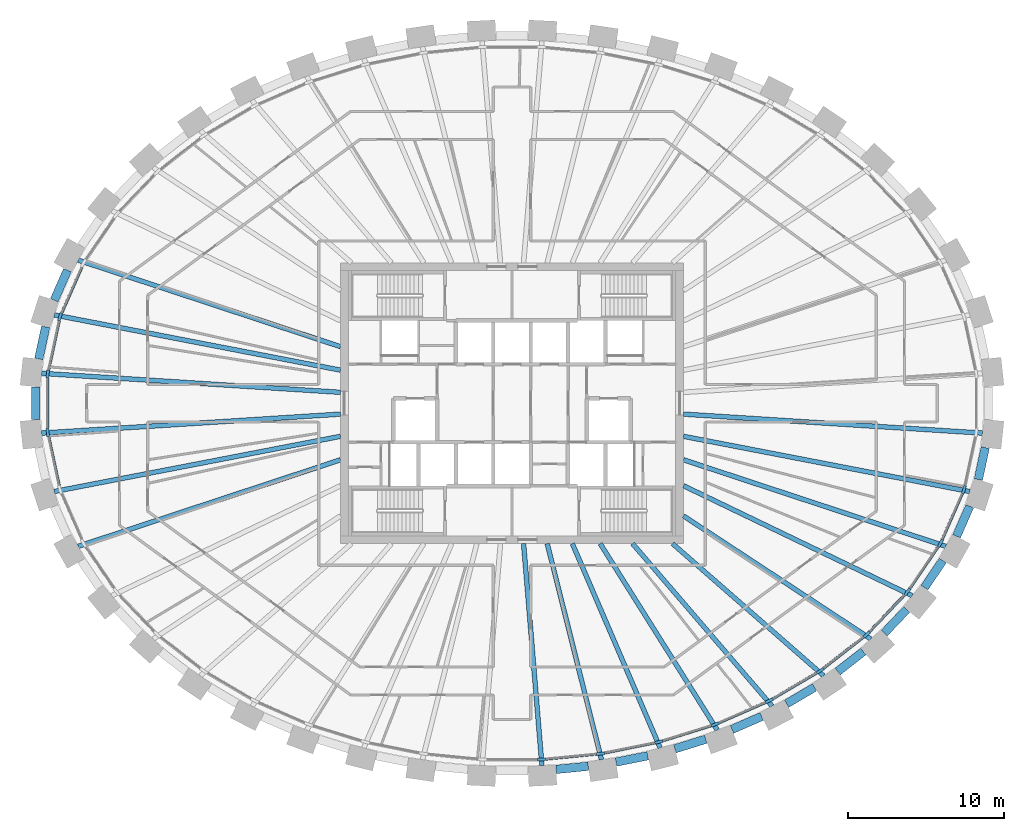
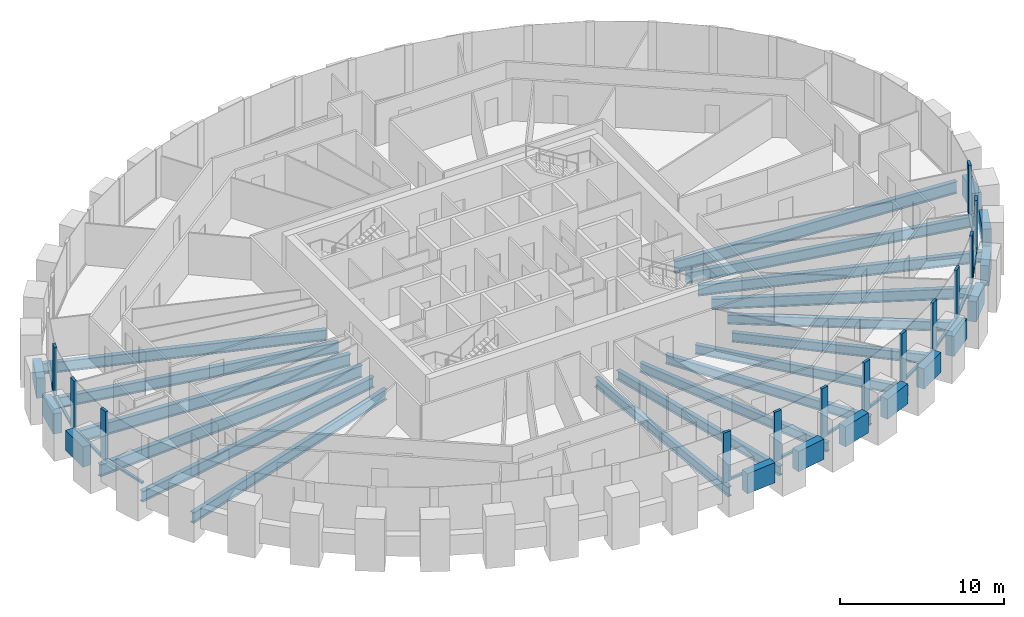
# One storey, part 2 of 12: 30 beams, 26 members, 1 element without a shape of its own.
"""IFC4 building model written with IfcOpenShell, lengths in metres."""

import ifcopenshell
import ifcopenshell.guid

model = None  # the IFC model being written
_history = None  # IfcOwnerHistory: only IFC2X3 demands one
_inside = {}  # id of a spatial element -> (the spatial element, [elements in it])
_under = {}  # id of a project, library or spatial element -> (it, [spatial elements below it])
_declared = {}  # id of a project -> (the project, [libraries it declares])
_typed = {}  # id of a type object -> (the type object, [elements of that type])
_made_of = {}  # id of a material, layer set ... -> (it, [elements and type objects made of it])


def new_model(schema):
    """Start an empty IFC model of exactly this schema.

    Asked for "IFC4X3", IfcOpenShell would pick the latest addendum, in which some entities
    have other attributes; the version numbers below select the first issue.
    IFC2X3 requires an IfcOwnerHistory on every rooted entity: one is made here for all.
    """
    global model, _history
    if schema == "IFC4X3":
        model = ifcopenshell.file(schema_version=(4, 3, 0, 0))
    else:
        model = ifcopenshell.file(schema=schema)
    _inside.clear()
    _under.clear()
    _declared.clear()
    _typed.clear()
    _made_of.clear()
    _history = None
    if model.schema == "IFC2X3":
        org = make("IfcOrganization", Name="unknown")
        user = make(
            "IfcPersonAndOrganization",
            ThePerson=make("IfcPerson", FamilyName="unknown"),
            TheOrganization=org,
        )
        app = make(
            "IfcApplication",
            ApplicationDeveloper=org,
            Version="unknown",
            ApplicationFullName="unknown",
            ApplicationIdentifier="unknown",
        )
        _history = make(
            "IfcOwnerHistory",
            OwningUser=user,
            OwningApplication=app,
            ChangeAction="ADDED",
            CreationDate=0,
        )
    return model


def make(cls, **values):
    """One entity of the class cls with the attributes given. An attribute that is None is left unset."""
    return model.create_entity(
        cls, **{name: value for name, value in values.items() if value is not None}
    )


def rooted(cls, **values):
    """An entity with a GlobalId (a new one), such as an element, a storey or a relation."""
    return make(cls, GlobalId=ifcopenshell.guid.new(), OwnerHistory=_history, **values)


def si_unit(unit_type, name, prefix=None):
    """IfcSIUnit, for example si_unit("LENGTHUNIT", "METRE", prefix="MILLI")."""
    return make("IfcSIUnit", UnitType=unit_type, Prefix=prefix, Name=name)


def assignment(units):
    """IfcUnitAssignment: the units of a project."""
    return None if units is None else make("IfcUnitAssignment", Units=units)


def point(xyz):
    """IfcCartesianPoint."""
    return None if xyz is None else make("IfcCartesianPoint", Coordinates=xyz)


def direction(xyz):
    """IfcDirection."""
    return None if xyz is None else make("IfcDirection", DirectionRatios=xyz)


def frame(location, z_axis=None, x_axis=None):
    """IfcAxis2Placement3D, a coordinate frame: its origin and axes. An axis left out is left unset."""
    return make(
        "IfcAxis2Placement3D",
        Location=point(location),
        Axis=direction(z_axis),
        RefDirection=direction(x_axis),
    )


def frame_2d(location, x_axis=None):
    """IfcAxis2Placement2D, a coordinate frame in the plane: its origin and x axis."""
    return make(
        "IfcAxis2Placement2D", Location=point(location), RefDirection=direction(x_axis)
    )


def origin():
    """The frame at (0, 0, 0) with its axes left unset."""
    return frame((0.0, 0.0, 0.0))


def origin_2d():
    """The frame at (0, 0) in the plane with its x axis left unset."""
    return frame_2d((0.0, 0.0))


def place(relative_to, where):
    """IfcLocalPlacement: puts the frame where relative to a parent placement (None: the world)."""
    return make(
        "IfcLocalPlacement", PlacementRelTo=relative_to, RelativePlacement=where
    )


def context(
    kind, dimensions, precision=None, world=None, true_north=None, identifier=None
):
    """IfcGeometricRepresentationContext, for example the 3D "Model" context."""
    return make(
        "IfcGeometricRepresentationContext",
        ContextIdentifier=identifier,
        ContextType=kind,
        CoordinateSpaceDimension=dimensions,
        Precision=precision,
        WorldCoordinateSystem=world,
        TrueNorth=true_north,
    )


def subcontext(parent, identifier, kind, view, scale=None):
    """IfcGeometricRepresentationSubContext, for example "Body" below "Model"."""
    return make(
        "IfcGeometricRepresentationSubContext",
        ContextIdentifier=identifier,
        ContextType=kind,
        ParentContext=parent,
        TargetScale=scale,
        TargetView=view,
    )


def project(units=None, contexts=None):
    """IfcProject with its units and contexts."""
    return rooted(
        "IfcProject",
        Name="project",
        RepresentationContexts=contexts,
        UnitsInContext=assignment(units),
    )


def spatial(cls, under=None, at=None, **own):
    """A site, building, storey or space (cls), placed at a placement, below another one or the project."""
    s = rooted(cls, ObjectPlacement=at, **own)
    if under is not None:
        _under.setdefault(under.id(), (under, []))[1].append(s)
    return s


def profile(cls, at=None, kind="AREA", **sizes):
    """A parametric profile (cls). Its sizes go by their IFC names, for example OverallWidth=200.0."""
    return make(cls, ProfileType=kind, Position=at, **sizes)


def rectangle(**sizes):
    """IfcRectangleProfileDef."""
    return profile("IfcRectangleProfileDef", **sizes)


def i_section(**sizes):
    """IfcIShapeProfileDef."""
    return profile("IfcIShapeProfileDef", **sizes)


def extrude(swept, where, along, depth):
    """IfcExtrudedAreaSolid: the profile swept, set in the frame where, extruded along a direction by depth."""
    return make(
        "IfcExtrudedAreaSolid",
        SweptArea=swept,
        Position=where,
        ExtrudedDirection=direction(along),
        Depth=depth,
    )


def shape(context_of_items, identifier, shape_type, items):
    """IfcShapeRepresentation: the items that make up one representation, for example the "Body"."""
    return make(
        "IfcShapeRepresentation",
        ContextOfItems=context_of_items,
        RepresentationIdentifier=identifier,
        RepresentationType=shape_type,
        Items=items,
    )


def source(mapping_origin, context_of_items, identifier, shape_type, items):
    """IfcRepresentationMap: a shape defined once, which mapped items show again and again."""
    return make(
        "IfcRepresentationMap",
        MappingOrigin=mapping_origin,
        MappedRepresentation=shape(context_of_items, identifier, shape_type, items),
    )


def transform(
    local_origin,
    x_axis=None,
    y_axis=None,
    z_axis=None,
    scale=None,
    scale2=None,
    scale3=None,
    uniform=True,
):
    """IfcCartesianTransformationOperator3D, or its non-uniform kind. x_axis, y_axis, z_axis: its Axis1, 2, 3."""
    if uniform:
        return make(
            "IfcCartesianTransformationOperator3D",
            Axis1=direction(x_axis),
            Axis2=direction(y_axis),
            LocalOrigin=point(local_origin),
            Scale=scale,
            Axis3=direction(z_axis),
        )
    return make(
        "IfcCartesianTransformationOperator3DnonUniform",
        Axis1=direction(x_axis),
        Axis2=direction(y_axis),
        LocalOrigin=point(local_origin),
        Scale=scale,
        Axis3=direction(z_axis),
        Scale2=scale2,
        Scale3=scale3,
    )


def mapped(mapping_source, mapping_target):
    """IfcMappedItem: shows the shape of a source again, moved by a transform."""
    return make(
        "IfcMappedItem", MappingSource=mapping_source, MappingTarget=mapping_target
    )


def material(Name=None, Category=None):
    """IfcMaterial."""
    return make("IfcMaterial", Name=Name, Category=Category)


def material_profile(
    of_material, cross_section, Name=None, Category=None, Priority=None
):
    """IfcMaterialProfile: a cross section and its material."""
    return make(
        "IfcMaterialProfile",
        Name=Name,
        Material=of_material,
        Profile=cross_section,
        Priority=Priority,
        Category=Category,
    )


def profile_set(profiles, Name=None, composite=None):
    """IfcMaterialProfileSet."""
    return make(
        "IfcMaterialProfileSet",
        Name=Name,
        MaterialProfiles=profiles,
        CompositeProfile=composite,
    )


def made_of(thing, what):
    """Note that an element or type object is made of a material, layer set ...; save() writes the relation."""
    if what is not None:
        _made_of.setdefault(what.id(), (what, []))[1].append(thing)
    return thing


def type_object(cls, material=None, **own):
    """A type object (cls), such as IfcWallType, which elements share."""
    return made_of(rooted(cls, **own), material)


def element(
    cls,
    number,
    at=None,
    inside=None,
    cuts=None,
    type_object=None,
    material=None,
    context=None,
    identifier="Body",
    shape_type=None,
    held_by="IfcProductDefinitionShape",
    body=None,
    shapes=None,
    **own,
):
    """One element of the class cls, such as IfcWall. Its Tag is "e" and its number.

    at: its placement. inside: the storey or other place that contains it. cuts: it is an
    opening in that element (IfcRelVoidsElement). A single representation is given by context,
    identifier, shape_type and body (its items); several are given by shapes. held_by: the class
    of the entity that holds the representations. save() writes the other relations.
    """
    e = rooted(cls, Tag="e%d" % number, ObjectPlacement=at, **own)
    if body is not None:
        shapes = [shape(context, identifier, shape_type, body)]
    if shapes is not None:
        e.Representation = make(held_by, Representations=shapes)
    if inside is not None:
        _inside.setdefault(inside.id(), (inside, []))[1].append(e)
    if cuts is not None:
        rooted(
            "IfcRelVoidsElement", RelatingBuildingElement=cuts, RelatedOpeningElement=e
        )
    if type_object is not None:
        _typed.setdefault(type_object.id(), (type_object, []))[1].append(e)
    return made_of(e, material)


def aggregate(whole, parts):
    """IfcRelAggregates: a whole, such as a stair, and the parts it consists of."""
    return rooted("IfcRelAggregates", RelatingObject=whole, RelatedObjects=parts)


def save(model, path):
    """Write the relations noted so far, then the file.

    IfcRelAggregates (storeys below a building ...), IfcRelContainedInSpatialStructure (elements
    in a storey), IfcRelDefinesByType, IfcRelAssociatesMaterial and IfcRelDeclares: one each for
    every whole, place, type object, material and project.
    """
    for whole, parts in _under.values():
        aggregate(whole, parts)
    for where, things in _inside.values():
        rooted(
            "IfcRelContainedInSpatialStructure",
            RelatedElements=things,
            RelatingStructure=where,
        )
    for kind, things in _typed.values():
        rooted("IfcRelDefinesByType", RelatedObjects=things, RelatingType=kind)
    for what, things in _made_of.values():
        rooted("IfcRelAssociatesMaterial", RelatedObjects=things, RelatingMaterial=what)
    for by, libraries in _declared.values():
        rooted("IfcRelDeclares", RelatingContext=by, RelatedDefinitions=libraries)
    model.write(path)


model = new_model("IFC4")

# Units and contexts
model_context = context("Model", 3, precision=1e-05, world=origin(), true_north=direction((0.0, 1.0)))
body_context = subcontext(model_context, "Body", "Model", "MODEL_VIEW")
ifc_project = project(units=[si_unit("LENGTHUNIT", "METRE"), si_unit("AREAUNIT", "SQUARE_METRE"), si_unit("VOLUMEUNIT", "CUBIC_METRE"), si_unit("PLANEANGLEUNIT", "RADIAN"), si_unit("MASSUNIT", "GRAM", prefix="KILO")], contexts=[model_context])

# Site, building, storey
site_placement = place(None, origin())
site = spatial("IfcSite", under=ifc_project, at=site_placement, CompositionType="ELEMENT")
building_placement = place(site_placement, origin())
building = spatial("IfcBuilding", under=site, at=building_placement, Name="Embergate Tower", CompositionType="ELEMENT")
storey_placement = place(building_placement, frame((0.0, 0.0, 293.5)))
storey = spatial("IfcBuildingStorey", under=building, at=storey_placement, Name="L68", CompositionType="ELEMENT", Elevation=293.5)

# Beams
ifc_material_1 = material(Name="Steel Q355B", Category="steel")
ifc_material_profile_1 = material_profile(ifc_material_1, i_section(OverallWidth=0.300048828125, OverallDepth=0.699951171875, WebThickness=0.012939453125, FlangeThickness=0.02392578125, FilletRadius=0.01806640625, at=origin_2d()), Name="HN 700x300x13x24")
ifc_profile_set_1 = profile_set([ifc_material_profile_1], Name="Steel Q355 grade B")
beam_type_1 = type_object("IfcBeamType", Name="Radial girder HN 700x300x13x24", PredefinedType="BEAM", material=ifc_profile_set_1)
shared_shape_1 = source(origin(), body_context, "Body", "SweptSolid", [
    extrude(i_section(OverallWidth=0.300048828125, OverallDepth=0.699951171875, WebThickness=0.012939453125, FlangeThickness=0.02392578125, FilletRadius=0.01806640625, at=origin_2d()), origin(), (0.0, 0.0, 1.0), 13.742431640625),
])
beam_1_placement = place(storey_placement, frame((16.681884765625, -19.426025390625, -0.550048828125), z_axis=(-0.651474345674, 0.758670664339, 0.0), x_axis=(-0.758670664339, -0.651474345674, 0.0)))
element("IfcBeam", 1, at=beam_1_placement, inside=storey, type_object=beam_type_1, Name="GIR-L68-37", PredefinedType="BEAM", context=body_context, shape_type="MappedRepresentation", body=[
    mapped(shared_shape_1, transform((0.0, 0.0, 0.0))),
])
ifc_material_2 = material(Name="Concrete C50", Category="concrete")
ifc_material_profile_2 = material_profile(ifc_material_2, rectangle(XDim=0.550048828125, YDim=1.5, at=origin_2d()), Name="RC 550x1500")
ifc_profile_set_2 = profile_set([ifc_material_profile_2], Name="Concrete C50")
beam_type_2 = type_object("IfcBeamType", Name="Spandrel beam RC 550x1500 C50", PredefinedType="BEAM", material=ifc_profile_set_2)
shared_shape_2 = source(origin(), body_context, "Body", "SweptSolid", [
    extrude(rectangle(XDim=0.550048828125, YDim=1.5, at=origin_2d()), origin(), (0.0, 0.0, 1.0), 2.10107421875),
])
for number, where, z_axis, x_axis, name in (
    (2, (-29.905029296875, 4.89501953125, 0.0), (-0.210330547493, -0.977630329312, 0.0), (0.977630329312, -0.210330547493, 0.0), "SPN-L68-20"),
    (3, (29.905029296875, -4.89501953125, 0.0), (0.210330547493, 0.977630329312, 0.0), (-0.977630329312, 0.210330547493, 0.0), "SPN-L68-42"),
):
    element("IfcBeam", number, at=place(storey_placement, frame(where, z_axis=z_axis, x_axis=x_axis)), inside=storey, type_object=beam_type_2, Name=name, PredefinedType="BEAM", context=body_context, shape_type="MappedRepresentation", body=[
        mapped(shared_shape_2, transform((0.0, 0.0, 0.0))),
    ])
shared_shape_3 = source(origin(), body_context, "Body", "SweptSolid", [
    extrude(rectangle(XDim=0.550048828125, YDim=1.5, at=origin_2d()), origin(), (0.0, 0.0, 1.0), 2.097900390625),
])
for number, where, z_axis, x_axis, name in (
    (4, (-28.508056640625, 8.529052734375, 0.0), (-0.401825860592, -0.91571610107, 0.0), (0.91571610107, -0.401825860592, 0.0), "SPN-L68-19"),
    (5, (28.508056640625, -8.529052734375, 0.0), (0.401825860592, 0.91571610107, 0.0), (-0.91571610107, 0.401825860592, 0.0), "SPN-L68-41"),
):
    element("IfcBeam", number, at=place(storey_placement, frame(where, z_axis=z_axis, x_axis=x_axis)), inside=storey, type_object=beam_type_2, Name=name, PredefinedType="BEAM", context=body_context, shape_type="MappedRepresentation", body=[
        mapped(shared_shape_3, transform((0.0, 0.0, 0.0))),
    ])
shared_shape_4 = source(origin(), body_context, "Body", "SweptSolid", [
    extrude(rectangle(XDim=0.550048828125, YDim=1.5, at=origin_2d()), origin(), (0.0, 0.0, 1.0), 2.09033203125),
])
beam_2_placement = place(storey_placement, frame((26.444091796875, -11.822998046875, 0.0), z_axis=(0.562009695033, 0.827130644269, 0.0), x_axis=(-0.827130644269, 0.562009695033, 0.0)))
element("IfcBeam", 6, at=beam_2_placement, inside=storey, type_object=beam_type_2, Name="SPN-L68-40", PredefinedType="BEAM", context=body_context, shape_type="MappedRepresentation", body=[
    mapped(shared_shape_4, transform((0.0, 0.0, 0.0))),
])
shared_shape_5 = source(origin(), body_context, "Body", "SweptSolid", [
    extrude(rectangle(XDim=0.550048828125, YDim=1.5, at=origin_2d()), origin(), (0.0, 0.0, 1.0), 2.08447265625),
])
beam_3_placement = place(storey_placement, frame((23.8740234375, -14.73095703125, 0.0), z_axis=(0.690339235394, 0.72348582576, 0.0), x_axis=(-0.72348582576, 0.690339235394, 0.0)))
element("IfcBeam", 7, at=beam_3_placement, inside=storey, type_object=beam_type_2, Name="SPN-L68-39", PredefinedType="BEAM", context=body_context, shape_type="MappedRepresentation", body=[
    mapped(shared_shape_5, transform((0.0, 0.0, 0.0))),
])
shared_shape_6 = source(origin(), body_context, "Body", "SweptSolid", [
    extrude(rectangle(XDim=0.550048828125, YDim=1.5, at=origin_2d()), origin(), (0.0, 0.0, 1.0), 2.0791015625),
])
beam_4_placement = place(storey_placement, frame((20.887939453125, -17.2041015625, 0.0), z_axis=(0.788383845435, 0.615183641084, 0.0), x_axis=(-0.615183641084, 0.788383845435, 0.0)))
element("IfcBeam", 8, at=beam_4_placement, inside=storey, type_object=beam_type_2, Name="SPN-L68-38", PredefinedType="BEAM", context=body_context, shape_type="MappedRepresentation", body=[
    mapped(shared_shape_6, transform((0.0, 0.0, 0.0))),
])
shared_shape_7 = source(origin(), body_context, "Body", "SweptSolid", [
    extrude(rectangle(XDim=0.550048828125, YDim=1.5, at=origin_2d()), origin(), (0.0, 0.0, 1.0), 2.074462890625),
])
beam_5_placement = place(storey_placement, frame((17.611083984375, -19.26806640625, 0.0), z_axis=(0.861864620017, 0.507138419726, 0.0), x_axis=(-0.507138419726, 0.861864620017, 0.0)))
element("IfcBeam", 9, at=beam_5_placement, inside=storey, type_object=beam_type_2, Name="SPN-L68-37", PredefinedType="BEAM", context=body_context, shape_type="MappedRepresentation", body=[
    mapped(shared_shape_7, transform((0.0, 0.0, 0.0))),
])
shared_shape_8 = source(origin(), body_context, "Body", "SweptSolid", [
    extrude(rectangle(XDim=0.550048828125, YDim=1.5, at=origin_2d()), origin(), (0.0, 0.0, 1.0), 2.073486328125),
])
beam_6_placement = place(storey_placement, frame((14.10791015625, -20.916015625, 0.0), z_axis=(0.91637608024, 0.400318472673, 0.0), x_axis=(-0.400318472673, 0.91637608024, 0.0)))
element("IfcBeam", 10, at=beam_6_placement, inside=storey, type_object=beam_type_2, Name="SPN-L68-36", PredefinedType="BEAM", context=body_context, shape_type="MappedRepresentation", body=[
    mapped(shared_shape_8, transform((0.0, 0.0, 0.0))),
])
shared_shape_9 = source(origin(), body_context, "Body", "SweptSolid", [
    extrude(rectangle(XDim=0.550048828125, YDim=1.5, at=origin_2d()), origin(), (0.0, 0.0, 1.0), 2.07080078125),
])
beam_7_placement = place(storey_placement, frame((10.445068359375, -22.160888671875, 0.0), z_axis=(0.954735561173, 0.297455892917, 0.0), x_axis=(-0.297455892917, 0.954735561173, 0.0)))
element("IfcBeam", 11, at=beam_7_placement, inside=storey, type_object=beam_type_2, Name="SPN-L68-35", PredefinedType="BEAM", context=body_context, shape_type="MappedRepresentation", body=[
    mapped(shared_shape_9, transform((0.0, 0.0, 0.0))),
])
shared_shape_10 = source(origin(), body_context, "Body", "SweptSolid", [
    extrude(rectangle(XDim=0.550048828125, YDim=1.5, at=origin_2d()), origin(), (0.0, 0.0, 1.0), 2.070556640625),
])
beam_8_placement = place(storey_placement, frame((6.6708984375, -23.013916015625, 0.0), z_axis=(0.980398860457, 0.197023030165, 0.0), x_axis=(-0.197023030165, 0.980398860457, 0.0)))
element("IfcBeam", 12, at=beam_8_placement, inside=storey, type_object=beam_type_2, Name="SPN-L68-34", PredefinedType="BEAM", context=body_context, shape_type="MappedRepresentation", body=[
    mapped(shared_shape_10, transform((0.0, 0.0, 0.0))),
])
shared_shape_11 = source(origin(), body_context, "Body", "SweptSolid", [
    extrude(rectangle(XDim=0.550048828125, YDim=1.5, at=origin_2d()), origin(), (0.0, 0.0, 1.0), 2.06884765625),
])
beam_9_placement = place(storey_placement, frame((2.83203125, -23.48095703125, 0.0), z_axis=(0.995226952233, 0.097587466149, 0.0), x_axis=(-0.097587466149, 0.995226952233, 0.0)))
element("IfcBeam", 13, at=beam_9_placement, inside=storey, type_object=beam_type_2, Name="SPN-L68-33", PredefinedType="BEAM", context=body_context, shape_type="MappedRepresentation", body=[
    mapped(shared_shape_11, transform((0.0, 0.0, 0.0))),
])
shared_shape_12 = source(origin(), body_context, "Body", "SweptSolid", [
    extrude(rectangle(XDim=0.550048828125, YDim=1.5, at=origin_2d()), origin(), (0.0, 0.0, 1.0), 2.10205078125),
])
beam_10_placement = place(storey_placement, frame((-30.5380859375, 1.051025390625, 0.0), z_axis=(0.0, -1.0, 0.0), x_axis=(1.0, 0.0, 0.0)))
element("IfcBeam", 14, at=beam_10_placement, inside=storey, type_object=beam_type_2, Name="SPN-L68-21", PredefinedType="BEAM", context=body_context, shape_type="MappedRepresentation", body=[
    mapped(shared_shape_12, transform((0.0, 0.0, 0.0))),
])
ifc_material_profile_3 = material_profile(ifc_material_1, i_section(OverallWidth=0.300048828125, OverallDepth=0.89990234375, WebThickness=0.01611328125, FlangeThickness=0.028076171875, FilletRadius=0.028076171875, at=origin_2d()), Name="HN 900x300x16x28")
ifc_profile_set_3 = profile_set([ifc_material_profile_3], Name="Steel Q355 grade B")
beam_type_3 = type_object("IfcBeamType", Name="Radial girder HN 900x300x16x28", PredefinedType="BEAM", material=ifc_profile_set_3)
shared_shape_13 = source(origin(), body_context, "Body", "SweptSolid", [
    extrude(i_section(OverallWidth=0.300048828125, OverallDepth=0.89990234375, WebThickness=0.01611328125, FlangeThickness=0.028076171875, FilletRadius=0.028076171875, at=origin_2d()), origin(), (0.0, 0.0, 1.0), 19.20166015625),
])
for number, where, z_axis, x_axis, name in (
    (15, (-30.1630859375, 1.916015625, -0.64990234375), (0.997989342147, -0.063381960844, 0.0), (0.063381960844, 0.997989342147, 0.0), "GIR-L68-21"),
    (16, (-30.1630859375, -1.916015625, -0.64990234375), (0.997989342147, 0.063381960844, 0.0), (-0.063381960844, 0.997989342147, 0.0), "GIR-L68-22"),
    (17, (30.1630859375, -1.916015625, -0.64990234375), (-0.997989342147, 0.063381960844, 0.0), (-0.063381960844, -0.997989342147, 0.0), "GIR-L68-43"),
):
    element("IfcBeam", number, at=place(storey_placement, frame(where, z_axis=z_axis, x_axis=x_axis)), inside=storey, type_object=beam_type_3, Name=name, PredefinedType="BEAM", context=body_context, shape_type="MappedRepresentation", body=[
        mapped(shared_shape_13, transform((0.0, 0.0, 0.0))),
    ])
ifc_material_profile_4 = material_profile(ifc_material_1, i_section(OverallWidth=0.300048828125, OverallDepth=0.800048828125, WebThickness=0.013916015625, FlangeThickness=0.02587890625, FilletRadius=0.028076171875, at=origin_2d()), Name="HN 800x300x14x26")
ifc_profile_set_4 = profile_set([ifc_material_profile_4], Name="Steel Q355 grade B")
beam_type_4 = type_object("IfcBeamType", Name="Radial girder HN 800x300x14x26", PredefinedType="BEAM", material=ifc_profile_set_4)
shared_shape_14 = source(origin(), body_context, "Body", "SweptSolid", [
    extrude(i_section(OverallWidth=0.300048828125, OverallDepth=0.800048828125, WebThickness=0.013916015625, FlangeThickness=0.02587890625, FilletRadius=0.028076171875, at=origin_2d()), origin(), (0.0, 0.0, 1.0), 18.6943359375),
])
for number, where, z_axis, x_axis, name in (
    (18, (-29.35595703125, 5.6630859375, -0.60009765625), (0.981896924723, -0.189416021549, 0.0), (0.189416021549, 0.981896924723, 0.0), "GIR-L68-20"),
    (19, (-29.35595703125, -5.6630859375, -0.60009765625), (0.981896924723, 0.189416021549, 0.0), (-0.189416021549, 0.981896924723, 0.0), "GIR-L68-23"),
    (20, (29.35595703125, -5.6630859375, -0.60009765625), (-0.981896924723, 0.189416021549, 0.0), (-0.189416021549, -0.981896924723, 0.0), "GIR-L68-42"),
):
    element("IfcBeam", number, at=place(storey_placement, frame(where, z_axis=z_axis, x_axis=x_axis)), inside=storey, type_object=beam_type_4, Name=name, PredefinedType="BEAM", context=body_context, shape_type="MappedRepresentation", body=[
        mapped(shared_shape_14, transform((0.0, 0.0, 0.0))),
    ])
shared_shape_15 = source(origin(), body_context, "Body", "SweptSolid", [
    extrude(i_section(OverallWidth=0.300048828125, OverallDepth=0.800048828125, WebThickness=0.013916015625, FlangeThickness=0.02587890625, FilletRadius=0.028076171875, at=origin_2d()), origin(), (0.0, 0.0, 1.0), 17.70703125),
])
for number, where, z_axis, x_axis, name in (
    (21, (-27.81591796875, 9.174072265625, -0.60009765625), (0.949680910183, -0.313219042897, 0.0), (0.313219042897, 0.949680910183, 0.0), "GIR-L68-19"),
    (22, (-27.81591796875, -9.174072265625, -0.60009765625), (0.949680910183, 0.313219042897, 0.0), (-0.313219042897, 0.949680910183, 0.0), "GIR-L68-24"),
    (23, (27.81591796875, -9.174072265625, -0.60009765625), (-0.949680910183, 0.313219042897, 0.0), (-0.313219042897, -0.949680910183, 0.0), "GIR-L68-41"),
):
    element("IfcBeam", number, at=place(storey_placement, frame(where, z_axis=z_axis, x_axis=x_axis)), inside=storey, type_object=beam_type_4, Name=name, PredefinedType="BEAM", context=body_context, shape_type="MappedRepresentation", body=[
        mapped(shared_shape_15, transform((0.0, 0.0, 0.0))),
    ])
shared_shape_16 = source(origin(), body_context, "Body", "SweptSolid", [
    extrude(i_section(OverallWidth=0.300048828125, OverallDepth=0.800048828125, WebThickness=0.013916015625, FlangeThickness=0.02587890625, FilletRadius=0.028076171875, at=origin_2d()), origin(), (0.0, 0.0, 1.0), 16.268310546875),
])
beam_11_placement = place(storey_placement, frame((25.659912109375, -12.344970703125, -0.60009765625), z_axis=(-0.901133717561, 0.433541258791, 0.0), x_axis=(-0.433541258791, -0.901133717561, 0.0)))
element("IfcBeam", 24, at=beam_11_placement, inside=storey, type_object=beam_type_4, Name="GIR-L68-40", PredefinedType="BEAM", context=body_context, shape_type="MappedRepresentation", body=[
    mapped(shared_shape_16, transform((0.0, 0.0, 0.0))),
])
shared_shape_17 = source(origin(), body_context, "Body", "SweptSolid", [
    extrude(i_section(OverallWidth=0.300048828125, OverallDepth=0.699951171875, WebThickness=0.012939453125, FlangeThickness=0.02392578125, FilletRadius=0.01806640625, at=origin_2d()), origin(), (0.0, 0.0, 1.0), 14.3740234375),
])
beam_12_placement = place(storey_placement, frame((23.012939453125, -15.1201171875, -0.550048828125), z_axis=(-0.835742226811, 0.549121963069, 0.0), x_axis=(-0.549121963069, -0.835742226811, 0.0)))
element("IfcBeam", 25, at=beam_12_placement, inside=storey, type_object=beam_type_1, Name="GIR-L68-39", PredefinedType="BEAM", context=body_context, shape_type="MappedRepresentation", body=[
    mapped(shared_shape_17, transform((0.0, 0.0, 0.0))),
])
shared_shape_18 = source(origin(), body_context, "Body", "SweptSolid", [
    extrude(i_section(OverallWidth=0.300048828125, OverallDepth=0.699951171875, WebThickness=0.012939453125, FlangeThickness=0.02392578125, FilletRadius=0.01806640625, at=origin_2d()), origin(), (0.0, 0.0, 1.0), 12.88330078125),
])
beam_13_placement = place(storey_placement, frame((19.989013671875, -17.48095703125, -0.550048828125), z_axis=(-0.752760969036, 0.658293949157, 0.0), x_axis=(-0.658293949157, -0.752760969036, 0.0)))
element("IfcBeam", 26, at=beam_13_placement, inside=storey, type_object=beam_type_1, Name="GIR-L68-38", PredefinedType="BEAM", context=body_context, shape_type="MappedRepresentation", body=[
    mapped(shared_shape_18, transform((0.0, 0.0, 0.0))),
])
shared_shape_19 = source(origin(), body_context, "Body", "SweptSolid", [
    extrude(i_section(OverallWidth=0.300048828125, OverallDepth=0.699951171875, WebThickness=0.012939453125, FlangeThickness=0.02392578125, FilletRadius=0.01806640625, at=origin_2d()), origin(), (0.0, 0.0, 1.0), 14.126953125),
])
beam_14_placement = place(storey_placement, frame((13.166015625, -20.962890625, -0.550048828125), z_axis=(-0.531886600535, 0.846815590416, 0.0), x_axis=(-0.846815590416, -0.531886600535, 0.0)))
element("IfcBeam", 27, at=beam_14_placement, inside=storey, type_object=beam_type_1, Name="GIR-L68-36", PredefinedType="BEAM", context=body_context, shape_type="MappedRepresentation", body=[
    mapped(shared_shape_19, transform((0.0, 0.0, 0.0))),
])
shared_shape_20 = source(origin(), body_context, "Body", "SweptSolid", [
    extrude(i_section(OverallWidth=0.300048828125, OverallDepth=0.699951171875, WebThickness=0.012939453125, FlangeThickness=0.02392578125, FilletRadius=0.01806640625, at=origin_2d()), origin(), (0.0, 0.0, 1.0), 14.263427734375),
])
beam_15_placement = place(storey_placement, frame((9.501953125, -22.10400390625, -0.550048828125), z_axis=(-0.394929229866, 0.918711545262, 0.0), x_axis=(-0.918711545262, -0.394929229866, 0.0)))
element("IfcBeam", 28, at=beam_15_placement, inside=storey, type_object=beam_type_1, Name="GIR-L68-35", PredefinedType="BEAM", context=body_context, shape_type="MappedRepresentation", body=[
    mapped(shared_shape_20, transform((0.0, 0.0, 0.0))),
])
shared_shape_21 = source(origin(), body_context, "Body", "SweptSolid", [
    extrude(i_section(OverallWidth=0.300048828125, OverallDepth=0.699951171875, WebThickness=0.012939453125, FlangeThickness=0.02392578125, FilletRadius=0.01806640625, at=origin_2d()), origin(), (0.0, 0.0, 1.0), 14.288818359375),
])
beam_16_placement = place(storey_placement, frame((5.738037109375, -22.85888671875, -0.550048828125), z_axis=(-0.243476248961, 0.969906859545, 0.0), x_axis=(-0.969906859545, -0.243476248961, 0.0)))
element("IfcBeam", 29, at=beam_16_placement, inside=storey, type_object=beam_type_1, Name="GIR-L68-34", PredefinedType="BEAM", context=body_context, shape_type="MappedRepresentation", body=[
    mapped(shared_shape_21, transform((0.0, 0.0, 0.0))),
])
shared_shape_22 = source(origin(), body_context, "Body", "SweptSolid", [
    extrude(i_section(OverallWidth=0.300048828125, OverallDepth=0.699951171875, WebThickness=0.012939453125, FlangeThickness=0.02392578125, FilletRadius=0.01806640625, at=origin_2d()), origin(), (0.0, 0.0, 1.0), 14.282470703125),
])
beam_17_placement = place(storey_placement, frame((1.9189453125, -23.23388671875, -0.550048828125), z_axis=(-0.082340957712, 0.996604217673, 0.0), x_axis=(-0.996604217673, -0.082340957712, 0.0)))
element("IfcBeam", 30, at=beam_17_placement, inside=storey, type_object=beam_type_1, Name="GIR-L68-33", PredefinedType="BEAM", context=body_context, shape_type="MappedRepresentation", body=[
    mapped(shared_shape_22, transform((0.0, 0.0, 0.0))),
])

# Curtain wall, members
ifc_material_3 = material(Name="Aluminium and glass", Category="aluminium")
curtain_wall_type = type_object("IfcCurtainWallType", Name="Recessed office glazing", PredefinedType="NOTDEFINED", material=ifc_material_3)
curtain_wall_placement = place(storey_placement, origin())
curtain_wall = element("IfcCurtainWall", 31, at=curtain_wall_placement, inside=storey, type_object=curtain_wall_type, Name="Recessed office glazing ring", ObjectType="RECESSED OFFICE GLAZING", PredefinedType="USERDEFINED")
ifc_material_4 = material(Name="Aluminium, thermally broken", Category="aluminium")
ifc_material_profile_5 = material_profile(ifc_material_4, rectangle(XDim=0.179931640625, YDim=0.52001953125, at=origin_2d()), Name="AL 520x180")
ifc_profile_set_5 = profile_set([ifc_material_profile_5], Name="Aluminium, thermally broken")
member_type_1 = type_object("IfcMemberType", Name="Office mullion", PredefinedType="MULLION", material=ifc_profile_set_5)
shared_shape_23 = source(origin(), body_context, "Body", "SweptSolid", [
    extrude(rectangle(XDim=0.179931640625, YDim=0.52001953125, at=origin_2d()), origin(), (0.0, 0.0, 1.0), 3.699951171875),
])
member_1_placement = place(storey_placement, frame((-28.985107421875, 5.5419921875, 0.0), z_axis=(0.0, 0.0, 1.0), x_axis=(0.951493502218, -0.307668840212, 0.0)))
member_1 = element("IfcMember", 32, at=member_1_placement, type_object=member_type_1, Name="CW mullion 21", PredefinedType="MULLION", context=body_context, shape_type="MappedRepresentation", body=[
    mapped(shared_shape_23, transform((0.0, 0.0, 0.0))),
])
member_2_placement = place(storey_placement, frame((-29.774658203125, 1.87451171875, 0.0), z_axis=(0.0, 0.0, 1.0), x_axis=(0.994384215926, -0.105830199459, 0.0)))
member_2 = element("IfcMember", 33, at=member_2_placement, type_object=member_type_1, Name="CW mullion 22", PredefinedType="MULLION", context=body_context, shape_type="MappedRepresentation", body=[
    mapped(shared_shape_23, transform((0.0, 0.0, 0.0))),
])
member_3_placement = place(storey_placement, frame((-29.774658203125, -1.87451171875, 0.0), z_axis=(0.0, 0.0, 1.0), x_axis=(0.994384215926, 0.105830199459, 0.0)))
member_3 = element("IfcMember", 34, at=member_3_placement, type_object=member_type_1, Name="CW mullion 23", PredefinedType="MULLION", context=body_context, shape_type="MappedRepresentation", body=[
    mapped(shared_shape_23, transform((0.0, 0.0, 0.0))),
])
member_4_placement = place(storey_placement, frame((1.89990234375, -22.844482421875, 0.0), z_axis=(0.0, 0.0, 1.0), x_axis=(-0.048971796621, 0.998800161762, 0.0)))
member_4 = element("IfcMember", 35, at=member_4_placement, type_object=member_type_1, Name="CW mullion 34", PredefinedType="MULLION", context=body_context, shape_type="MappedRepresentation", body=[
    mapped(shared_shape_23, transform((0.0, 0.0, 0.0))),
])
member_5_placement = place(storey_placement, frame((5.68115234375, -22.472900390625, 0.0), z_axis=(0.0, 0.0, 1.0), x_axis=(-0.147412382818, 0.989075118174, 0.0)))
member_5 = element("IfcMember", 36, at=member_5_placement, type_object=member_type_1, Name="CW mullion 35", PredefinedType="MULLION", context=body_context, shape_type="MappedRepresentation", body=[
    mapped(shared_shape_23, transform((0.0, 0.0, 0.0))),
])
member_6_placement = place(storey_placement, frame((9.405029296875, -21.72607421875, 0.0), z_axis=(0.0, 0.0, 1.0), x_axis=(-0.24731188137, 0.968935928394, 0.0)))
member_6 = element("IfcMember", 37, at=member_6_placement, type_object=member_type_1, Name="CW mullion 36", PredefinedType="MULLION", context=body_context, shape_type="MappedRepresentation", body=[
    mapped(shared_shape_23, transform((0.0, 0.0, 0.0))),
])
member_7_placement = place(storey_placement, frame((13.029541015625, -20.597412109375, 0.0), z_axis=(0.0, 0.0, 1.0), x_axis=(-0.349501047589, 0.936935973124, 0.0)))
member_7 = element("IfcMember", 38, at=member_7_placement, type_object=member_type_1, Name="CW mullion 37", PredefinedType="MULLION", context=body_context, shape_type="MappedRepresentation", body=[
    mapped(shared_shape_23, transform((0.0, 0.0, 0.0))),
])
member_8_placement = place(storey_placement, frame((16.504638671875, -19.077880859375, 0.0), z_axis=(0.0, 0.0, 1.0), x_axis=(-0.454508271251, 0.890742516872, 0.0)))
member_8 = element("IfcMember", 39, at=member_8_placement, type_object=member_type_1, Name="CW mullion 38", PredefinedType="MULLION", context=body_context, shape_type="MappedRepresentation", body=[
    mapped(shared_shape_23, transform((0.0, 0.0, 0.0))),
])
member_9_placement = place(storey_placement, frame((19.770263671875, -17.15771484375, 0.0), z_axis=(0.0, 0.0, 1.0), x_axis=(-0.562211845055, 0.826993253467, 0.0)))
member_9 = element("IfcMember", 40, at=member_9_placement, type_object=member_type_1, Name="CW mullion 39", PredefinedType="MULLION", context=body_context, shape_type="MappedRepresentation", body=[
    mapped(shared_shape_23, transform((0.0, 0.0, 0.0))),
])
member_10_placement = place(storey_placement, frame((22.752197265625, -14.83056640625, 0.0), z_axis=(0.0, 0.0, 1.0), x_axis=(-0.671220065284, 0.741258135847, 0.0)))
member_10 = element("IfcMember", 41, at=member_10_placement, type_object=member_type_1, Name="CW mullion 40", PredefinedType="MULLION", context=body_context, shape_type="MappedRepresentation", body=[
    mapped(shared_shape_23, transform((0.0, 0.0, 0.0))),
])
member_11_placement = place(storey_placement, frame((25.357421875, -12.098388671875, 0.0), z_axis=(0.0, 0.0, 1.0), x_axis=(-0.777863789852, 0.628432911643, 0.0)))
member_11 = element("IfcMember", 42, at=member_11_placement, type_object=member_type_1, Name="CW mullion 41", PredefinedType="MULLION", context=body_context, shape_type="MappedRepresentation", body=[
    mapped(shared_shape_23, transform((0.0, 0.0, 0.0))),
])
member_12_placement = place(storey_placement, frame((27.4755859375, -8.983642578125, 0.0), z_axis=(0.0, 0.0, 1.0), x_axis=(-0.87499344622, 0.484134763338, 0.0)))
member_12 = element("IfcMember", 43, at=member_12_placement, type_object=member_type_1, Name="CW mullion 42", PredefinedType="MULLION", context=body_context, shape_type="MappedRepresentation", body=[
    mapped(shared_shape_23, transform((0.0, 0.0, 0.0))),
])
member_13_placement = place(storey_placement, frame((28.985107421875, -5.5419921875, 0.0), z_axis=(0.0, 0.0, 1.0), x_axis=(-0.951493502218, 0.307668840212, 0.0)))
member_13 = element("IfcMember", 44, at=member_13_placement, type_object=member_type_1, Name="CW mullion 43", PredefinedType="MULLION", context=body_context, shape_type="MappedRepresentation", body=[
    mapped(shared_shape_23, transform((0.0, 0.0, 0.0))),
])
ifc_material_profile_6 = material_profile(ifc_material_4, rectangle(XDim=0.179931640625, YDim=0.14990234375, at=origin_2d()), Name="AL 150x180")
ifc_profile_set_6 = profile_set([ifc_material_profile_6], Name="Aluminium, thermally broken")
member_type_2 = type_object("IfcMemberType", Name="Office sill transom", PredefinedType="USERDEFINED", material=ifc_profile_set_6)
shared_shape_24 = source(origin(), body_context, "Body", "SweptSolid", [
    extrude(rectangle(XDim=0.179931640625, YDim=0.14990234375, at=origin_2d()), origin(), (0.0, 0.0, 1.0), 3.2314453125),
])
member_14_placement = place(storey_placement, frame((-29.039794921875, 5.287841796875, 0.074951171875), z_axis=(-0.210406118874, -0.977614067585, 0.0), x_axis=(0.977614067585, -0.210406118874, 0.0)))
member_14 = element("IfcMember", 45, at=member_14_placement, type_object=member_type_2, Name="CW transom 21.1", ObjectType="TRANSOM", PredefinedType="USERDEFINED", context=body_context, shape_type="MappedRepresentation", body=[
    mapped(shared_shape_24, transform((0.0, 0.0, 0.0))),
])
member_15_placement = place(storey_placement, frame((-29.7197265625, -2.128662109375, 0.074951171875), z_axis=(0.210406118874, -0.977614067585, 0.0), x_axis=(0.977614067585, 0.210406118874, 0.0)))
member_15 = element("IfcMember", 46, at=member_15_placement, type_object=member_type_2, Name="CW transom 23.1", ObjectType="TRANSOM", PredefinedType="USERDEFINED", context=body_context, shape_type="MappedRepresentation", body=[
    mapped(shared_shape_24, transform((0.0, 0.0, 0.0))),
])
shared_shape_25 = source(origin(), body_context, "Body", "SweptSolid", [
    extrude(rectangle(XDim=0.179931640625, YDim=0.14990234375, at=origin_2d()), origin(), (0.0, 0.0, 1.0), 3.23828125),
])
member_16_placement = place(storey_placement, frame((-27.580078125, 8.74560546875, 0.074951171875), z_axis=(-0.401684789579, -0.915777991557, 0.0), x_axis=(0.915777991557, -0.401684789579, 0.0)))
member_16 = element("IfcMember", 47, at=member_16_placement, type_object=member_type_2, Name="CW transom 20.1", ObjectType="TRANSOM", PredefinedType="USERDEFINED", context=body_context, shape_type="MappedRepresentation", body=[
    mapped(shared_shape_25, transform((0.0, 0.0, 0.0))),
])
member_17_placement = place(storey_placement, frame((27.580078125, -8.74560546875, 0.074951171875), z_axis=(0.401684789579, 0.915777991557, 0.0), x_axis=(-0.915777991557, 0.401684789579, 0.0)))
member_17 = element("IfcMember", 48, at=member_17_placement, type_object=member_type_2, Name="CW transom 42.1", ObjectType="TRANSOM", PredefinedType="USERDEFINED", context=body_context, shape_type="MappedRepresentation", body=[
    mapped(shared_shape_25, transform((0.0, 0.0, 0.0))),
])
shared_shape_26 = source(origin(), body_context, "Body", "SweptSolid", [
    extrude(rectangle(XDim=0.179931640625, YDim=0.14990234375, at=origin_2d()), origin(), (0.0, 0.0, 1.0), 3.246826171875),
])
member_18_placement = place(storey_placement, frame((25.503662109375, -11.883544921875, 0.074951171875), z_axis=(0.562363493995, 0.826890138182, 0.0), x_axis=(-0.826890138182, 0.562363493995, 0.0)))
member_18 = element("IfcMember", 49, at=member_18_placement, type_object=member_type_2, Name="CW transom 41.1", ObjectType="TRANSOM", PredefinedType="USERDEFINED", context=body_context, shape_type="MappedRepresentation", body=[
    mapped(shared_shape_26, transform((0.0, 0.0, 0.0))),
])
shared_shape_27 = source(origin(), body_context, "Body", "SweptSolid", [
    extrude(rectangle(XDim=0.179931640625, YDim=0.14990234375, at=origin_2d()), origin(), (0.0, 0.0, 1.0), 3.255126953125),
])
member_19_placement = place(storey_placement, frame((22.931640625, -14.642333984375, 0.074951171875), z_axis=(0.690106396673, 0.723707925389, 0.0), x_axis=(-0.723707925389, 0.690106396673, 0.0)))
member_19 = element("IfcMember", 50, at=member_19_placement, type_object=member_type_2, Name="CW transom 40.1", ObjectType="TRANSOM", PredefinedType="USERDEFINED", context=body_context, shape_type="MappedRepresentation", body=[
    mapped(shared_shape_27, transform((0.0, 0.0, 0.0))),
])
shared_shape_28 = source(origin(), body_context, "Body", "SweptSolid", [
    extrude(rectangle(XDim=0.179931640625, YDim=0.14990234375, at=origin_2d()), origin(), (0.0, 0.0, 1.0), 3.262451171875),
])
member_20_placement = place(storey_placement, frame((19.975341796875, -16.997802734375, 0.074951171875), z_axis=(0.788303389344, 0.615286735066, 0.0), x_axis=(-0.615286735066, 0.788303389344, 0.0)))
member_20 = element("IfcMember", 51, at=member_20_placement, type_object=member_type_2, Name="CW transom 39.1", ObjectType="TRANSOM", PredefinedType="USERDEFINED", context=body_context, shape_type="MappedRepresentation", body=[
    mapped(shared_shape_28, transform((0.0, 0.0, 0.0))),
])
shared_shape_29 = source(origin(), body_context, "Body", "SweptSolid", [
    extrude(rectangle(XDim=0.179931640625, YDim=0.14990234375, at=origin_2d()), origin(), (0.0, 0.0, 1.0), 3.268310546875),
])
member_21_placement = place(storey_placement, frame((16.728759765625, -18.946044921875, 0.074951171875), z_axis=(0.862039813646, 0.506840566342, 0.0), x_axis=(-0.506840566342, 0.862039813646, 0.0)))
member_21 = element("IfcMember", 52, at=member_21_placement, type_object=member_type_2, Name="CW transom 38.1", ObjectType="TRANSOM", PredefinedType="USERDEFINED", context=body_context, shape_type="MappedRepresentation", body=[
    mapped(shared_shape_29, transform((0.0, 0.0, 0.0))),
])
shared_shape_30 = source(origin(), body_context, "Body", "SweptSolid", [
    extrude(rectangle(XDim=0.179931640625, YDim=0.14990234375, at=origin_2d()), origin(), (0.0, 0.0, 1.0), 3.27294921875),
])
member_22_placement = place(storey_placement, frame((13.267578125, -20.4931640625, 0.074951171875), z_axis=(0.91623435737, 0.400642736582, 0.0), x_axis=(-0.400642736582, 0.91623435737, 0.0)))
member_22 = element("IfcMember", 53, at=member_22_placement, type_object=member_type_2, Name="CW transom 37.1", ObjectType="TRANSOM", PredefinedType="USERDEFINED", context=body_context, shape_type="MappedRepresentation", body=[
    mapped(shared_shape_30, transform((0.0, 0.0, 0.0))),
])
shared_shape_31 = source(origin(), body_context, "Body", "SweptSolid", [
    extrude(rectangle(XDim=0.179931640625, YDim=0.14990234375, at=origin_2d()), origin(), (0.0, 0.0, 1.0), 3.276123046875),
])
member_23_placement = place(storey_placement, frame((9.6533203125, -21.648681640625, 0.074951171875), z_axis=(0.954771243255, 0.297341340976, 0.0), x_axis=(-0.297341340976, 0.954771243255, 0.0)))
member_23 = element("IfcMember", 54, at=member_23_placement, type_object=member_type_2, Name="CW transom 36.1", ObjectType="TRANSOM", PredefinedType="USERDEFINED", context=body_context, shape_type="MappedRepresentation", body=[
    mapped(shared_shape_31, transform((0.0, 0.0, 0.0))),
])
shared_shape_32 = source(origin(), body_context, "Body", "SweptSolid", [
    extrude(rectangle(XDim=0.179931640625, YDim=0.14990234375, at=origin_2d()), origin(), (0.0, 0.0, 1.0), 3.278076171875),
])
member_24_placement = place(storey_placement, frame((5.93603515625, -22.421875, 0.074951171875), z_axis=(0.98046593112, 0.196688987777, 0.0), x_axis=(-0.196688987777, 0.98046593112, 0.0)))
member_24 = element("IfcMember", 55, at=member_24_placement, type_object=member_type_2, Name="CW transom 35.1", ObjectType="TRANSOM", PredefinedType="USERDEFINED", context=body_context, shape_type="MappedRepresentation", body=[
    mapped(shared_shape_32, transform((0.0, 0.0, 0.0))),
])
shared_shape_33 = source(origin(), body_context, "Body", "SweptSolid", [
    extrude(rectangle(XDim=0.179931640625, YDim=0.14990234375, at=origin_2d()), origin(), (0.0, 0.0, 1.0), 3.279296875),
])
member_25_placement = place(storey_placement, frame((2.15869140625, -22.819091796875, 0.074951171875), z_axis=(0.995203828947, 0.097822997549, 0.0), x_axis=(-0.097822997549, 0.995203828947, 0.0)))
member_25 = element("IfcMember", 56, at=member_25_placement, type_object=member_type_2, Name="CW transom 34.1", ObjectType="TRANSOM", PredefinedType="USERDEFINED", context=body_context, shape_type="MappedRepresentation", body=[
    mapped(shared_shape_33, transform((0.0, 0.0, 0.0))),
])
shared_shape_34 = source(origin(), body_context, "Body", "SweptSolid", [
    extrude(rectangle(XDim=0.179931640625, YDim=0.14990234375, at=origin_2d()), origin(), (0.0, 0.0, 1.0), 3.22900390625),
])
member_26_placement = place(storey_placement, frame((-29.774658203125, 1.614501953125, 0.074951171875), z_axis=(0.0, -1.0, 0.0), x_axis=(1.0, 0.0, 0.0)))
member_26 = element("IfcMember", 57, at=member_26_placement, type_object=member_type_2, Name="CW transom 22.1", ObjectType="TRANSOM", PredefinedType="USERDEFINED", context=body_context, shape_type="MappedRepresentation", body=[
    mapped(shared_shape_34, transform((0.0, 0.0, 0.0))),
])
aggregate(curtain_wall, [member_1, member_2, member_3, member_4, member_5, member_6, member_7, member_8, member_9, member_10, member_11, member_12, member_13, member_16, member_14, member_26, member_15, member_25, member_24, member_23, member_22, member_21, member_20, member_19, member_18, member_17])

save(model, "model.ifc")
